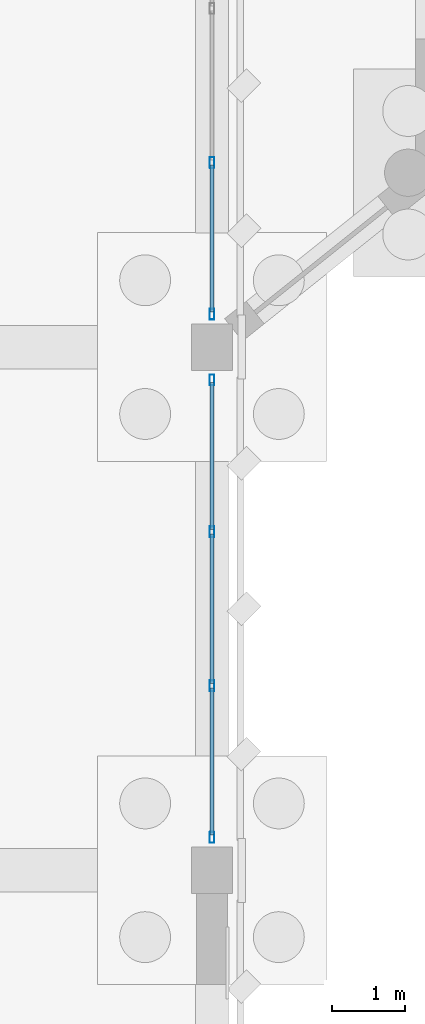
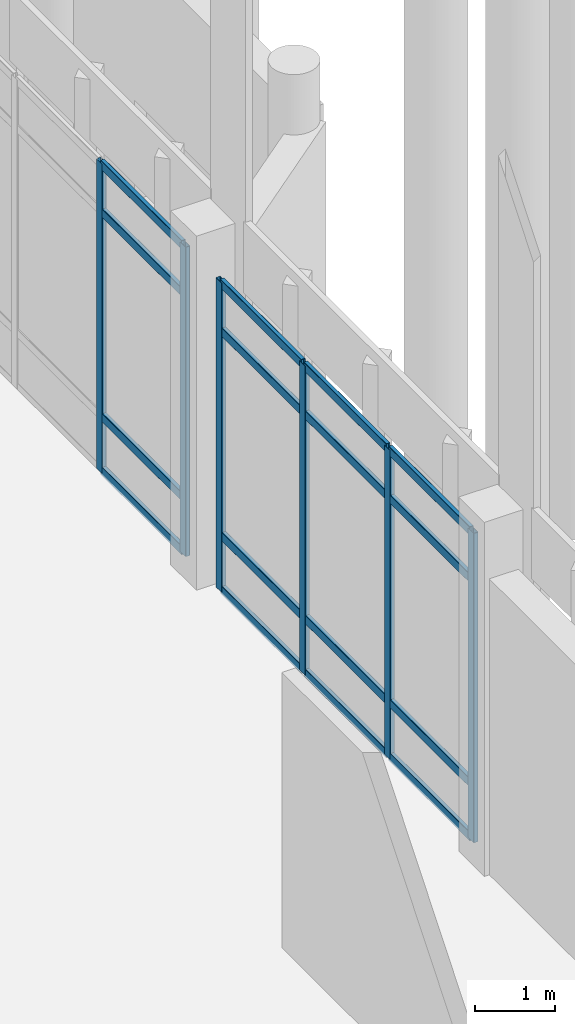
# One storey, part 37 of 109: 22 members, 2 elements without a shape of their own.
"""IFC4 building model written with IfcOpenShell, lengths in metres."""

import ifcopenshell
import ifcopenshell.guid

model = None  # the IFC model being written
_history = None  # IfcOwnerHistory: only IFC2X3 demands one
_inside = {}  # id of a spatial element -> (the spatial element, [elements in it])
_under = {}  # id of a project, library or spatial element -> (it, [spatial elements below it])
_declared = {}  # id of a project -> (the project, [libraries it declares])
_typed = {}  # id of a type object -> (the type object, [elements of that type])
_made_of = {}  # id of a material, layer set ... -> (it, [elements and type objects made of it])


def new_model(schema):
    """Start an empty IFC model of exactly this schema.

    Asked for "IFC4X3", IfcOpenShell would pick the latest addendum, in which some entities
    have other attributes; the version numbers below select the first issue.
    IFC2X3 requires an IfcOwnerHistory on every rooted entity: one is made here for all.
    """
    global model, _history
    if schema == "IFC4X3":
        model = ifcopenshell.file(schema_version=(4, 3, 0, 0))
    else:
        model = ifcopenshell.file(schema=schema)
    _inside.clear()
    _under.clear()
    _declared.clear()
    _typed.clear()
    _made_of.clear()
    _history = None
    if model.schema == "IFC2X3":
        org = make("IfcOrganization", Name="unknown")
        user = make(
            "IfcPersonAndOrganization",
            ThePerson=make("IfcPerson", FamilyName="unknown"),
            TheOrganization=org,
        )
        app = make(
            "IfcApplication",
            ApplicationDeveloper=org,
            Version="unknown",
            ApplicationFullName="unknown",
            ApplicationIdentifier="unknown",
        )
        _history = make(
            "IfcOwnerHistory",
            OwningUser=user,
            OwningApplication=app,
            ChangeAction="ADDED",
            CreationDate=0,
        )
    return model


def make(cls, **values):
    """One entity of the class cls with the attributes given. An attribute that is None is left unset."""
    return model.create_entity(
        cls, **{name: value for name, value in values.items() if value is not None}
    )


def rooted(cls, **values):
    """An entity with a GlobalId (a new one), such as an element, a storey or a relation."""
    return make(cls, GlobalId=ifcopenshell.guid.new(), OwnerHistory=_history, **values)


def si_unit(unit_type, name, prefix=None):
    """IfcSIUnit, for example si_unit("LENGTHUNIT", "METRE", prefix="MILLI")."""
    return make("IfcSIUnit", UnitType=unit_type, Prefix=prefix, Name=name)


def assignment(units):
    """IfcUnitAssignment: the units of a project."""
    return None if units is None else make("IfcUnitAssignment", Units=units)


def point(xyz):
    """IfcCartesianPoint."""
    return None if xyz is None else make("IfcCartesianPoint", Coordinates=xyz)


def direction(xyz):
    """IfcDirection."""
    return None if xyz is None else make("IfcDirection", DirectionRatios=xyz)


def frame(location, z_axis=None, x_axis=None):
    """IfcAxis2Placement3D, a coordinate frame: its origin and axes. An axis left out is left unset."""
    return make(
        "IfcAxis2Placement3D",
        Location=point(location),
        Axis=direction(z_axis),
        RefDirection=direction(x_axis),
    )


def frame_2d(location, x_axis=None):
    """IfcAxis2Placement2D, a coordinate frame in the plane: its origin and x axis."""
    return make(
        "IfcAxis2Placement2D", Location=point(location), RefDirection=direction(x_axis)
    )


def origin():
    """The frame at (0, 0, 0) with its axes left unset."""
    return frame((0.0, 0.0, 0.0))


def origin_2d():
    """The frame at (0, 0) in the plane with its x axis left unset."""
    return frame_2d((0.0, 0.0))


def place(relative_to, where):
    """IfcLocalPlacement: puts the frame where relative to a parent placement (None: the world)."""
    return make(
        "IfcLocalPlacement", PlacementRelTo=relative_to, RelativePlacement=where
    )


def context(
    kind, dimensions, precision=None, world=None, true_north=None, identifier=None
):
    """IfcGeometricRepresentationContext, for example the 3D "Model" context."""
    return make(
        "IfcGeometricRepresentationContext",
        ContextIdentifier=identifier,
        ContextType=kind,
        CoordinateSpaceDimension=dimensions,
        Precision=precision,
        WorldCoordinateSystem=world,
        TrueNorth=true_north,
    )


def subcontext(parent, identifier, kind, view, scale=None):
    """IfcGeometricRepresentationSubContext, for example "Body" below "Model"."""
    return make(
        "IfcGeometricRepresentationSubContext",
        ContextIdentifier=identifier,
        ContextType=kind,
        ParentContext=parent,
        TargetScale=scale,
        TargetView=view,
    )


def project(units=None, contexts=None):
    """IfcProject with its units and contexts."""
    return rooted(
        "IfcProject",
        Name="project",
        RepresentationContexts=contexts,
        UnitsInContext=assignment(units),
    )


def spatial(cls, under=None, at=None, **own):
    """A site, building, storey or space (cls), placed at a placement, below another one or the project."""
    s = rooted(cls, ObjectPlacement=at, **own)
    if under is not None:
        _under.setdefault(under.id(), (under, []))[1].append(s)
    return s


def profile(cls, at=None, kind="AREA", **sizes):
    """A parametric profile (cls). Its sizes go by their IFC names, for example OverallWidth=200.0."""
    return make(cls, ProfileType=kind, Position=at, **sizes)


def hollow_rectangle(**sizes):
    """IfcRectangleHollowProfileDef."""
    return profile("IfcRectangleHollowProfileDef", **sizes)


def extrude(swept, where, along, depth):
    """IfcExtrudedAreaSolid: the profile swept, set in the frame where, extruded along a direction by depth."""
    return make(
        "IfcExtrudedAreaSolid",
        SweptArea=swept,
        Position=where,
        ExtrudedDirection=direction(along),
        Depth=depth,
    )


def shape(context_of_items, identifier, shape_type, items):
    """IfcShapeRepresentation: the items that make up one representation, for example the "Body"."""
    return make(
        "IfcShapeRepresentation",
        ContextOfItems=context_of_items,
        RepresentationIdentifier=identifier,
        RepresentationType=shape_type,
        Items=items,
    )


def material(Name=None, Category=None):
    """IfcMaterial."""
    return make("IfcMaterial", Name=Name, Category=Category)


def material_profile(
    of_material, cross_section, Name=None, Category=None, Priority=None
):
    """IfcMaterialProfile: a cross section and its material."""
    return make(
        "IfcMaterialProfile",
        Name=Name,
        Material=of_material,
        Profile=cross_section,
        Priority=Priority,
        Category=Category,
    )


def profile_set(profiles, Name=None, composite=None):
    """IfcMaterialProfileSet."""
    return make(
        "IfcMaterialProfileSet",
        Name=Name,
        MaterialProfiles=profiles,
        CompositeProfile=composite,
    )


def made_of(thing, what):
    """Note that an element or type object is made of a material, layer set ...; save() writes the relation."""
    if what is not None:
        _made_of.setdefault(what.id(), (what, []))[1].append(thing)
    return thing


def type_object(cls, material=None, **own):
    """A type object (cls), such as IfcWallType, which elements share."""
    return made_of(rooted(cls, **own), material)


def element(
    cls,
    number,
    at=None,
    inside=None,
    cuts=None,
    type_object=None,
    material=None,
    context=None,
    identifier="Body",
    shape_type=None,
    held_by="IfcProductDefinitionShape",
    body=None,
    shapes=None,
    **own,
):
    """One element of the class cls, such as IfcWall. Its Tag is "e" and its number.

    at: its placement. inside: the storey or other place that contains it. cuts: it is an
    opening in that element (IfcRelVoidsElement). A single representation is given by context,
    identifier, shape_type and body (its items); several are given by shapes. held_by: the class
    of the entity that holds the representations. save() writes the other relations.
    """
    e = rooted(cls, Tag="e%d" % number, ObjectPlacement=at, **own)
    if body is not None:
        shapes = [shape(context, identifier, shape_type, body)]
    if shapes is not None:
        e.Representation = make(held_by, Representations=shapes)
    if inside is not None:
        _inside.setdefault(inside.id(), (inside, []))[1].append(e)
    if cuts is not None:
        rooted(
            "IfcRelVoidsElement", RelatingBuildingElement=cuts, RelatedOpeningElement=e
        )
    if type_object is not None:
        _typed.setdefault(type_object.id(), (type_object, []))[1].append(e)
    return made_of(e, material)


def aggregate(whole, parts):
    """IfcRelAggregates: a whole, such as a stair, and the parts it consists of."""
    return rooted("IfcRelAggregates", RelatingObject=whole, RelatedObjects=parts)


def save(model, path):
    """Write the relations noted so far, then the file.

    IfcRelAggregates (storeys below a building ...), IfcRelContainedInSpatialStructure (elements
    in a storey), IfcRelDefinesByType, IfcRelAssociatesMaterial and IfcRelDeclares: one each for
    every whole, place, type object, material and project.
    """
    for whole, parts in _under.values():
        aggregate(whole, parts)
    for where, things in _inside.values():
        rooted(
            "IfcRelContainedInSpatialStructure",
            RelatedElements=things,
            RelatingStructure=where,
        )
    for kind, things in _typed.values():
        rooted("IfcRelDefinesByType", RelatedObjects=things, RelatingType=kind)
    for what, things in _made_of.values():
        rooted("IfcRelAssociatesMaterial", RelatedObjects=things, RelatingMaterial=what)
    for by, libraries in _declared.values():
        rooted("IfcRelDeclares", RelatingContext=by, RelatedDefinitions=libraries)
    model.write(path)


model = new_model("IFC4")

# Units and contexts
model_context = context("Model", 3, precision=1e-05, world=origin(), true_north=direction((0.0, 1.0)))
body_context = subcontext(model_context, "Body", "Model", "MODEL_VIEW")
ifc_project = project(units=[si_unit("LENGTHUNIT", "METRE"), si_unit("AREAUNIT", "SQUARE_METRE"), si_unit("VOLUMEUNIT", "CUBIC_METRE"), si_unit("PLANEANGLEUNIT", "RADIAN"), si_unit("MASSUNIT", "GRAM", prefix="KILO")], contexts=[model_context])

# Site, building, storey
site_placement = place(None, origin())
site = spatial("IfcSite", under=ifc_project, at=site_placement, CompositionType="ELEMENT")
building_placement = place(site_placement, origin())
building = spatial("IfcBuilding", under=site, at=building_placement, Name="Lusvemor Sports Hall", CompositionType="ELEMENT")
storey_placement = place(building_placement, origin())
storey = spatial("IfcBuildingStorey", under=building, at=storey_placement, Name="L00", CompositionType="ELEMENT", Elevation=0.0)

# Curtain wall, members
ifc_material_1 = material(Name="Thermally broken bronze-anodized aluminium", Category="aluminium")
curtain_wall_type = type_object("IfcCurtainWallType", Name="CW_WING_B", PredefinedType="NOTDEFINED", material=ifc_material_1)
curtain_wall_1_placement = place(storey_placement, origin())
curtain_wall_1 = element("IfcCurtainWall", 1, at=curtain_wall_1_placement, inside=storey, type_object=curtain_wall_type, Name="Curtain Wall CW-L00-E-4-3", PredefinedType="NOTDEFINED")
ifc_material_2 = material(Name="Thermally broken bronze-anodized aluminium", Category="aluminium")
ifc_material_profile_1 = material_profile(ifc_material_2, hollow_rectangle(XDim=0.06494140625, YDim=0.14990234375, WallThickness=0.00390625, InnerFilletRadius=0.00390625, OuterFilletRadius=0.008056640625, at=origin_2d()), Name="CWMUL150x65x4")
ifc_profile_set_1 = profile_set([ifc_material_profile_1], Name="Thermally broken bronze-anodized aluminium")
member_type_1 = type_object("IfcMemberType", Name="CW_MUL_B", PredefinedType="MULLION", material=ifc_profile_set_1)
member_1_placement = place(storey_placement, frame((21.60009765625, 75.1474609375, 0.0), z_axis=(0.0, 0.0, 1.0), x_axis=(1.0, 0.0, 0.0)))
member_1 = element("IfcMember", 2, at=member_1_placement, type_object=member_type_1, Name="CW02 mullion 1", PredefinedType="MULLION", context=body_context, shape_type="SweptSolid", body=[
    extrude(hollow_rectangle(XDim=0.06494140625, YDim=0.14990234375, WallThickness=0.00390625, InnerFilletRadius=0.00390625, OuterFilletRadius=0.008056640625, at=origin_2d()), origin(), (0.0, 0.0, 1.0), 4.719970703125),
])
member_2_placement = place(storey_placement, frame((21.60009765625, 73.06005859375, 0.0), z_axis=(0.0, 0.0, 1.0), x_axis=(1.0, 0.0, 0.0)))
member_2 = element("IfcMember", 3, at=member_2_placement, type_object=member_type_1, Name="CW02 mullion 2", PredefinedType="MULLION", context=body_context, shape_type="SweptSolid", body=[
    extrude(hollow_rectangle(XDim=0.06494140625, YDim=0.14990234375, WallThickness=0.00390625, InnerFilletRadius=0.00390625, OuterFilletRadius=0.008056640625, at=origin_2d()), origin(), (0.0, 0.0, 1.0), 4.719970703125),
])
member_3_placement = place(storey_placement, frame((21.60009765625, 70.93994140625, 0.0), z_axis=(0.0, 0.0, 1.0), x_axis=(1.0, 0.0, 0.0)))
member_3 = element("IfcMember", 4, at=member_3_placement, type_object=member_type_1, Name="CW02 mullion 3", PredefinedType="MULLION", context=body_context, shape_type="SweptSolid", body=[
    extrude(hollow_rectangle(XDim=0.06494140625, YDim=0.14990234375, WallThickness=0.00390625, InnerFilletRadius=0.00390625, OuterFilletRadius=0.008056640625, at=origin_2d()), origin(), (0.0, 0.0, 1.0), 4.719970703125),
])
member_4_placement = place(storey_placement, frame((21.60009765625, 68.8525390625, 0.0), z_axis=(0.0, 0.0, 1.0), x_axis=(1.0, 0.0, 0.0)))
member_4 = element("IfcMember", 5, at=member_4_placement, type_object=member_type_1, Name="CW02 mullion 4", PredefinedType="MULLION", context=body_context, shape_type="SweptSolid", body=[
    extrude(hollow_rectangle(XDim=0.06494140625, YDim=0.14990234375, WallThickness=0.00390625, InnerFilletRadius=0.00390625, OuterFilletRadius=0.008056640625, at=origin_2d()), origin(), (0.0, 0.0, 1.0), 4.719970703125),
])

curtain_wall_2_placement = place(storey_placement, origin())
curtain_wall_2 = element("IfcCurtainWall", 6, at=curtain_wall_2_placement, inside=storey, type_object=curtain_wall_type, Name="Curtain Wall CW-L00-E-4-4", PredefinedType="NOTDEFINED")
member_5_placement = place(storey_placement, frame((21.60009765625, 78.139892578125, 0.0), z_axis=(0.0, 0.0, 1.0), x_axis=(1.0, 0.0, 0.0)))
member_5 = element("IfcMember", 7, at=member_5_placement, type_object=member_type_1, Name="CW02 mullion 3", PredefinedType="MULLION", context=body_context, shape_type="SweptSolid", body=[
    extrude(hollow_rectangle(XDim=0.06494140625, YDim=0.14990234375, WallThickness=0.00390625, InnerFilletRadius=0.00390625, OuterFilletRadius=0.008056640625, at=origin_2d()), origin(), (0.0, 0.0, 1.0), 4.719970703125),
])
member_6_placement = place(storey_placement, frame((21.60009765625, 76.052490234375, 0.0), z_axis=(0.0, 0.0, 1.0), x_axis=(1.0, 0.0, 0.0)))
member_6 = element("IfcMember", 8, at=member_6_placement, type_object=member_type_1, Name="CW02 mullion 4", PredefinedType="MULLION", context=body_context, shape_type="SweptSolid", body=[
    extrude(hollow_rectangle(XDim=0.06494140625, YDim=0.14990234375, WallThickness=0.00390625, InnerFilletRadius=0.00390625, OuterFilletRadius=0.008056640625, at=origin_2d()), origin(), (0.0, 0.0, 1.0), 4.719970703125),
])

# Member
ifc_material_3 = material(Name="Thermally broken bronze-anodized aluminium", Category="aluminium")
ifc_material_profile_2 = material_profile(ifc_material_3, hollow_rectangle(XDim=0.06005859375, YDim=0.135009765625, WallThickness=0.00390625, InnerFilletRadius=0.00390625, OuterFilletRadius=0.008056640625, at=origin_2d()), Name="CWTRN135x60x4")
ifc_profile_set_2 = profile_set([ifc_material_profile_2], Name="Thermally broken bronze-anodized aluminium")
member_type_2 = type_object("IfcMemberType", Name="CW_TRN_B", PredefinedType="USERDEFINED", material=ifc_profile_set_2)
member_7_placement = place(storey_placement, frame((21.60009765625, 75.114990234375, 0.030029296875), z_axis=(0.0, -1.0, 0.0), x_axis=(1.0, 0.0, 0.0)))
member_7 = element("IfcMember", 9, at=member_7_placement, type_object=member_type_2, Name="CW02 transom 1.1", ObjectType="TRANSOM", PredefinedType="USERDEFINED", context=body_context, shape_type="SweptSolid", body=[
    extrude(hollow_rectangle(XDim=0.06005859375, YDim=0.135009765625, WallThickness=0.00390625, InnerFilletRadius=0.00390625, OuterFilletRadius=0.008056640625, at=origin_2d()), origin(), (0.0, 0.0, 1.0), 2.0224609375),
])

member_8_placement = place(storey_placement, frame((21.60009765625, 75.114990234375, 0.85009765625), z_axis=(0.0, -1.0, 0.0), x_axis=(1.0, 0.0, 0.0)))
member_8 = element("IfcMember", 10, at=member_8_placement, type_object=member_type_2, Name="CW02 transom 1.2", ObjectType="TRANSOM", PredefinedType="USERDEFINED", context=body_context, shape_type="SweptSolid", body=[
    extrude(hollow_rectangle(XDim=0.06005859375, YDim=0.135009765625, WallThickness=0.00390625, InnerFilletRadius=0.00390625, OuterFilletRadius=0.008056640625, at=origin_2d()), origin(), (0.0, 0.0, 1.0), 2.0224609375),
])

member_9_placement = place(storey_placement, frame((21.60009765625, 75.114990234375, 3.969970703125), z_axis=(0.0, -1.0, 0.0), x_axis=(1.0, 0.0, 0.0)))
member_9 = element("IfcMember", 11, at=member_9_placement, type_object=member_type_2, Name="CW02 transom 1.3", ObjectType="TRANSOM", PredefinedType="USERDEFINED", context=body_context, shape_type="SweptSolid", body=[
    extrude(hollow_rectangle(XDim=0.06005859375, YDim=0.135009765625, WallThickness=0.00390625, InnerFilletRadius=0.00390625, OuterFilletRadius=0.008056640625, at=origin_2d()), origin(), (0.0, 0.0, 1.0), 2.0224609375),
])

member_10_placement = place(storey_placement, frame((21.60009765625, 75.114990234375, 4.68994140625), z_axis=(0.0, -1.0, 0.0), x_axis=(1.0, 0.0, 0.0)))
member_10 = element("IfcMember", 12, at=member_10_placement, type_object=member_type_2, Name="CW02 transom 1.4", ObjectType="TRANSOM", PredefinedType="USERDEFINED", context=body_context, shape_type="SweptSolid", body=[
    extrude(hollow_rectangle(XDim=0.06005859375, YDim=0.135009765625, WallThickness=0.00390625, InnerFilletRadius=0.00390625, OuterFilletRadius=0.008056640625, at=origin_2d()), origin(), (0.0, 0.0, 1.0), 2.0224609375),
])

member_11_placement = place(storey_placement, frame((21.60009765625, 73.027587890625, 0.030029296875), z_axis=(0.0, -1.0, 0.0), x_axis=(1.0, 0.0, 0.0)))
member_11 = element("IfcMember", 13, at=member_11_placement, type_object=member_type_2, Name="CW02 transom 2.1", ObjectType="TRANSOM", PredefinedType="USERDEFINED", context=body_context, shape_type="SweptSolid", body=[
    extrude(hollow_rectangle(XDim=0.06005859375, YDim=0.135009765625, WallThickness=0.00390625, InnerFilletRadius=0.00390625, OuterFilletRadius=0.008056640625, at=origin_2d()), origin(), (0.0, 0.0, 1.0), 2.05517578125),
])

member_12_placement = place(storey_placement, frame((21.60009765625, 73.027587890625, 0.85009765625), z_axis=(0.0, -1.0, 0.0), x_axis=(1.0, 0.0, 0.0)))
member_12 = element("IfcMember", 14, at=member_12_placement, type_object=member_type_2, Name="CW02 transom 2.2", ObjectType="TRANSOM", PredefinedType="USERDEFINED", context=body_context, shape_type="SweptSolid", body=[
    extrude(hollow_rectangle(XDim=0.06005859375, YDim=0.135009765625, WallThickness=0.00390625, InnerFilletRadius=0.00390625, OuterFilletRadius=0.008056640625, at=origin_2d()), origin(), (0.0, 0.0, 1.0), 2.05517578125),
])

member_13_placement = place(storey_placement, frame((21.60009765625, 73.027587890625, 3.969970703125), z_axis=(0.0, -1.0, 0.0), x_axis=(1.0, 0.0, 0.0)))
member_13 = element("IfcMember", 15, at=member_13_placement, type_object=member_type_2, Name="CW02 transom 2.3", ObjectType="TRANSOM", PredefinedType="USERDEFINED", context=body_context, shape_type="SweptSolid", body=[
    extrude(hollow_rectangle(XDim=0.06005859375, YDim=0.135009765625, WallThickness=0.00390625, InnerFilletRadius=0.00390625, OuterFilletRadius=0.008056640625, at=origin_2d()), origin(), (0.0, 0.0, 1.0), 2.05517578125),
])

member_14_placement = place(storey_placement, frame((21.60009765625, 73.027587890625, 4.68994140625), z_axis=(0.0, -1.0, 0.0), x_axis=(1.0, 0.0, 0.0)))
member_14 = element("IfcMember", 16, at=member_14_placement, type_object=member_type_2, Name="CW02 transom 2.4", ObjectType="TRANSOM", PredefinedType="USERDEFINED", context=body_context, shape_type="SweptSolid", body=[
    extrude(hollow_rectangle(XDim=0.06005859375, YDim=0.135009765625, WallThickness=0.00390625, InnerFilletRadius=0.00390625, OuterFilletRadius=0.008056640625, at=origin_2d()), origin(), (0.0, 0.0, 1.0), 2.05517578125),
])

member_15_placement = place(storey_placement, frame((21.60009765625, 70.907470703125, 0.030029296875), z_axis=(0.0, -1.0, 0.0), x_axis=(1.0, 0.0, 0.0)))
member_15 = element("IfcMember", 17, at=member_15_placement, type_object=member_type_2, Name="CW02 transom 3.1", ObjectType="TRANSOM", PredefinedType="USERDEFINED", context=body_context, shape_type="SweptSolid", body=[
    extrude(hollow_rectangle(XDim=0.06005859375, YDim=0.135009765625, WallThickness=0.00390625, InnerFilletRadius=0.00390625, OuterFilletRadius=0.008056640625, at=origin_2d()), origin(), (0.0, 0.0, 1.0), 2.0224609375),
])

member_16_placement = place(storey_placement, frame((21.60009765625, 70.907470703125, 0.85009765625), z_axis=(0.0, -1.0, 0.0), x_axis=(1.0, 0.0, 0.0)))
member_16 = element("IfcMember", 18, at=member_16_placement, type_object=member_type_2, Name="CW02 transom 3.2", ObjectType="TRANSOM", PredefinedType="USERDEFINED", context=body_context, shape_type="SweptSolid", body=[
    extrude(hollow_rectangle(XDim=0.06005859375, YDim=0.135009765625, WallThickness=0.00390625, InnerFilletRadius=0.00390625, OuterFilletRadius=0.008056640625, at=origin_2d()), origin(), (0.0, 0.0, 1.0), 2.0224609375),
])

member_17_placement = place(storey_placement, frame((21.60009765625, 70.907470703125, 3.969970703125), z_axis=(0.0, -1.0, 0.0), x_axis=(1.0, 0.0, 0.0)))
member_17 = element("IfcMember", 19, at=member_17_placement, type_object=member_type_2, Name="CW02 transom 3.3", ObjectType="TRANSOM", PredefinedType="USERDEFINED", context=body_context, shape_type="SweptSolid", body=[
    extrude(hollow_rectangle(XDim=0.06005859375, YDim=0.135009765625, WallThickness=0.00390625, InnerFilletRadius=0.00390625, OuterFilletRadius=0.008056640625, at=origin_2d()), origin(), (0.0, 0.0, 1.0), 2.0224609375),
])

member_18_placement = place(storey_placement, frame((21.60009765625, 70.907470703125, 4.68994140625), z_axis=(0.0, -1.0, 0.0), x_axis=(1.0, 0.0, 0.0)))
member_18 = element("IfcMember", 20, at=member_18_placement, type_object=member_type_2, Name="CW02 transom 3.4", ObjectType="TRANSOM", PredefinedType="USERDEFINED", context=body_context, shape_type="SweptSolid", body=[
    extrude(hollow_rectangle(XDim=0.06005859375, YDim=0.135009765625, WallThickness=0.00390625, InnerFilletRadius=0.00390625, OuterFilletRadius=0.008056640625, at=origin_2d()), origin(), (0.0, 0.0, 1.0), 2.0224609375),
])

aggregate(curtain_wall_1, [member_1, member_2, member_3, member_4, member_7, member_8, member_9, member_10, member_11, member_12, member_13, member_14, member_15, member_16, member_17, member_18])

member_19_placement = place(storey_placement, frame((21.60009765625, 78.107421875, 0.030029296875), z_axis=(0.0, -1.0, 0.0), x_axis=(1.0, 0.0, 0.0)))
member_19 = element("IfcMember", 21, at=member_19_placement, type_object=member_type_2, Name="CW02 transom 3.1", ObjectType="TRANSOM", PredefinedType="USERDEFINED", context=body_context, shape_type="SweptSolid", body=[
    extrude(hollow_rectangle(XDim=0.06005859375, YDim=0.135009765625, WallThickness=0.00390625, InnerFilletRadius=0.00390625, OuterFilletRadius=0.008056640625, at=origin_2d()), origin(), (0.0, 0.0, 1.0), 2.0224609375),
])

member_20_placement = place(storey_placement, frame((21.60009765625, 78.107421875, 0.85009765625), z_axis=(0.0, -1.0, 0.0), x_axis=(1.0, 0.0, 0.0)))
member_20 = element("IfcMember", 22, at=member_20_placement, type_object=member_type_2, Name="CW02 transom 3.2", ObjectType="TRANSOM", PredefinedType="USERDEFINED", context=body_context, shape_type="SweptSolid", body=[
    extrude(hollow_rectangle(XDim=0.06005859375, YDim=0.135009765625, WallThickness=0.00390625, InnerFilletRadius=0.00390625, OuterFilletRadius=0.008056640625, at=origin_2d()), origin(), (0.0, 0.0, 1.0), 2.0224609375),
])

member_21_placement = place(storey_placement, frame((21.60009765625, 78.107421875, 3.969970703125), z_axis=(0.0, -1.0, 0.0), x_axis=(1.0, 0.0, 0.0)))
member_21 = element("IfcMember", 23, at=member_21_placement, type_object=member_type_2, Name="CW02 transom 3.3", ObjectType="TRANSOM", PredefinedType="USERDEFINED", context=body_context, shape_type="SweptSolid", body=[
    extrude(hollow_rectangle(XDim=0.06005859375, YDim=0.135009765625, WallThickness=0.00390625, InnerFilletRadius=0.00390625, OuterFilletRadius=0.008056640625, at=origin_2d()), origin(), (0.0, 0.0, 1.0), 2.0224609375),
])

member_22_placement = place(storey_placement, frame((21.60009765625, 78.107421875, 4.68994140625), z_axis=(0.0, -1.0, 0.0), x_axis=(1.0, 0.0, 0.0)))
member_22 = element("IfcMember", 24, at=member_22_placement, type_object=member_type_2, Name="CW02 transom 3.4", ObjectType="TRANSOM", PredefinedType="USERDEFINED", context=body_context, shape_type="SweptSolid", body=[
    extrude(hollow_rectangle(XDim=0.06005859375, YDim=0.135009765625, WallThickness=0.00390625, InnerFilletRadius=0.00390625, OuterFilletRadius=0.008056640625, at=origin_2d()), origin(), (0.0, 0.0, 1.0), 2.0224609375),
])

aggregate(curtain_wall_2, [member_5, member_6, member_19, member_20, member_21, member_22])

save(model, "model.ifc")
